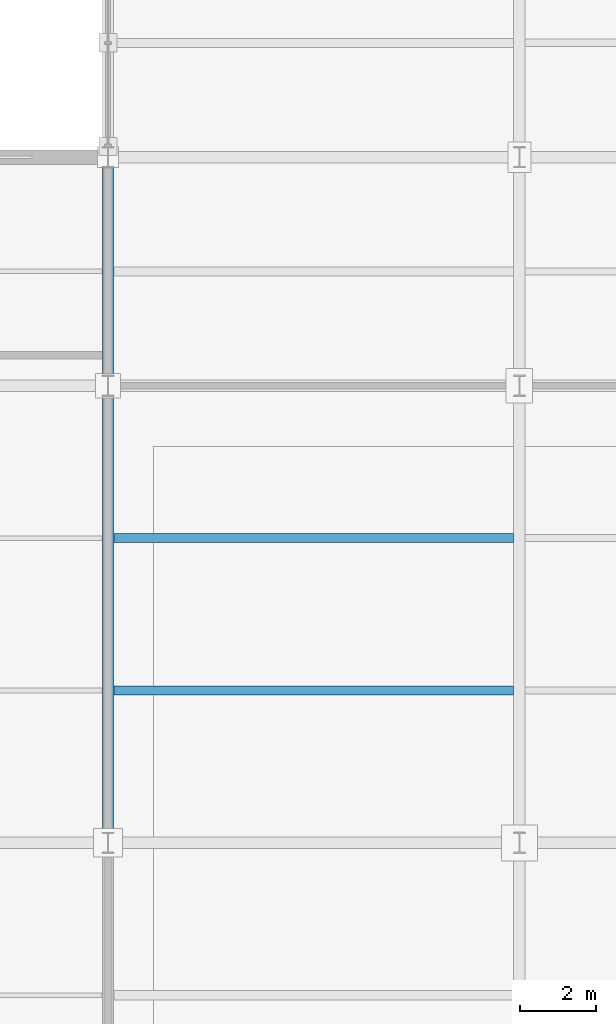
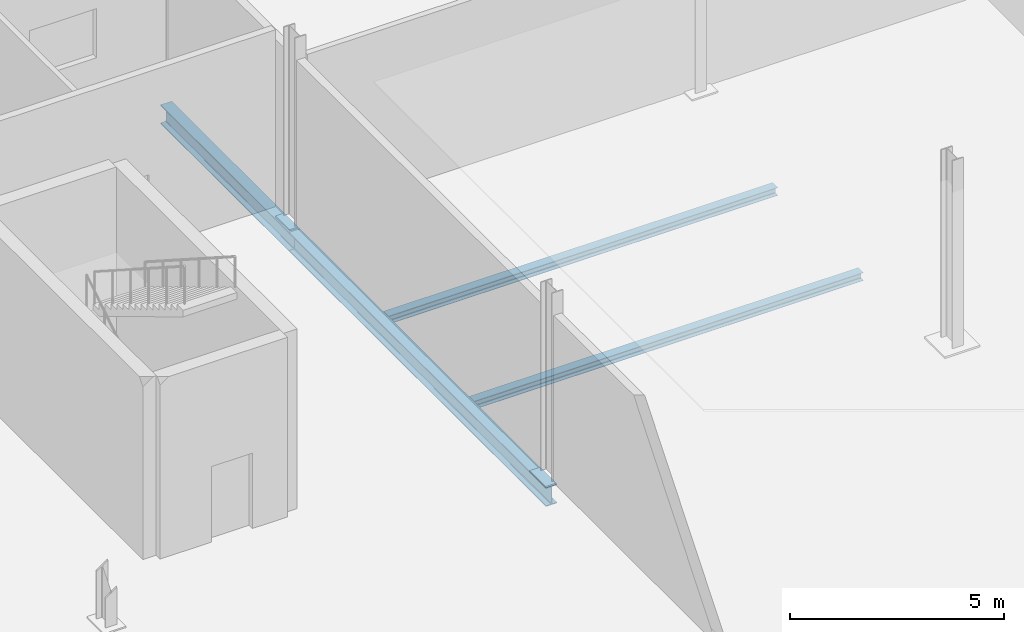
# One storey, part 136 of 196: 4 beams.
"""IFC4 building model written with IfcOpenShell, lengths in metres."""

from ifc_helpers import new_model, si_unit, direction, frame, origin, origin_2d, place, context, subcontext, project, spatial, i_section, extrude, material, material_profile, profile_set, type_object, element, save


model = new_model("IFC4")

# Units and contexts
model_context = context("Model", 3, precision=1e-05, world=origin(), true_north=direction((0.0, 1.0)))
body_context = subcontext(model_context, "Body", "Model", "MODEL_VIEW")
ifc_project = project(units=[si_unit("LENGTHUNIT", "METRE"), si_unit("AREAUNIT", "SQUARE_METRE"), si_unit("VOLUMEUNIT", "CUBIC_METRE"), si_unit("PLANEANGLEUNIT", "RADIAN"), si_unit("MASSUNIT", "GRAM", prefix="KILO")], contexts=[model_context])

# Site, building, storey
site_placement = place(None, origin())
site = spatial("IfcSite", under=ifc_project, at=site_placement, CompositionType="ELEMENT")
building_placement = place(site_placement, origin())
building = spatial("IfcBuilding", under=site, at=building_placement, Name="Merenkruunu Market Hall", CompositionType="ELEMENT")
storey_placement = place(building_placement, origin())
storey = spatial("IfcBuildingStorey", under=building, at=storey_placement, Name="L00", CompositionType="ELEMENT", Elevation=0.0)

# Beams
ifc_material = material(Name="Steel S355J2", Category="steel")
ifc_material_profile_1 = material_profile(ifc_material, i_section(OverallWidth=0.300048828125, OverallDepth=0.5400390625, WebThickness=0.012451171875, FlangeThickness=0.02392578125, FilletRadius=0.027099609375, at=origin_2d()), Name="HEA 550")
ifc_profile_set_1 = profile_set([ifc_material_profile_1], Name="Steel S355J2")
beam_type_1 = type_object("IfcBeamType", Name="Primary Floor Girder B06", PredefinedType="BEAM", material=ifc_profile_set_1)
beam_1_placement = place(storey_placement, frame((148.800048828125, 27.60009765625, -0.570068359375), z_axis=(0.0, 1.0, 0.0), x_axis=(-1.0, 0.0, 0.0)))
element("IfcBeam", 1, at=beam_1_placement, inside=storey, type_object=beam_type_1, Name="BM-L00-B06-0242", PredefinedType="BEAM", context=body_context, shape_type="SweptSolid", body=[
    extrude(i_section(OverallWidth=0.300048828125, OverallDepth=0.5400390625, WebThickness=0.012451171875, FlangeThickness=0.02392578125, FilletRadius=0.027099609375, at=origin_2d()), origin(), (0.0, 0.0, 1.0), 12.0),
])
beam_2_placement = place(storey_placement, frame((148.800048828125, 39.60009765625, -0.570068359375), z_axis=(0.0, 1.0, 0.0), x_axis=(-1.0, 0.0, 0.0)))
element("IfcBeam", 2, at=beam_2_placement, inside=storey, type_object=beam_type_1, Name="BM-L00-B06-0243", PredefinedType="BEAM", context=body_context, shape_type="SweptSolid", body=[
    extrude(i_section(OverallWidth=0.300048828125, OverallDepth=0.5400390625, WebThickness=0.012451171875, FlangeThickness=0.02392578125, FilletRadius=0.027099609375, at=origin_2d()), origin(), (0.0, 0.0, 1.0), 6.0),
])
ifc_material_profile_2 = material_profile(ifc_material, i_section(OverallWidth=0.239990234375, OverallDepth=0.22998046875, WebThickness=0.007568359375, FlangeThickness=0.011962890625, FilletRadius=0.02099609375, at=origin_2d()), Name="HEA 240")
ifc_profile_set_2 = profile_set([ifc_material_profile_2], Name="Steel S355J2")
beam_type_2 = type_object("IfcBeamType", Name="Secondary Floor Joist J06", PredefinedType="JOIST", material=ifc_profile_set_2)
for number, where, z_axis, x_axis, name in (
    (3, (148.952880859375, 31.60009765625, -0.4150390625), (1.0, 0.0, 0.0), (0.0, 1.0, 0.0), "BM-L00-J06-0427"),
    (4, (148.952880859375, 35.60009765625, -0.4150390625), (1.0, 0.0, 0.0), (0.0, 1.0, 0.0), "BM-L00-J06-0428"),
):
    element("IfcBeam", number, at=place(storey_placement, frame(where, z_axis=z_axis, x_axis=x_axis)), inside=storey, type_object=beam_type_2, Name=name, PredefinedType="JOIST", context=body_context, shape_type="SweptSolid", body=[
        extrude(i_section(OverallWidth=0.239990234375, OverallDepth=0.22998046875, WebThickness=0.007568359375, FlangeThickness=0.011962890625, FilletRadius=0.02099609375, at=origin_2d()), origin(), (0.0, 0.0, 1.0), 10.494140625),
    ])

save(model, "model.ifc")
